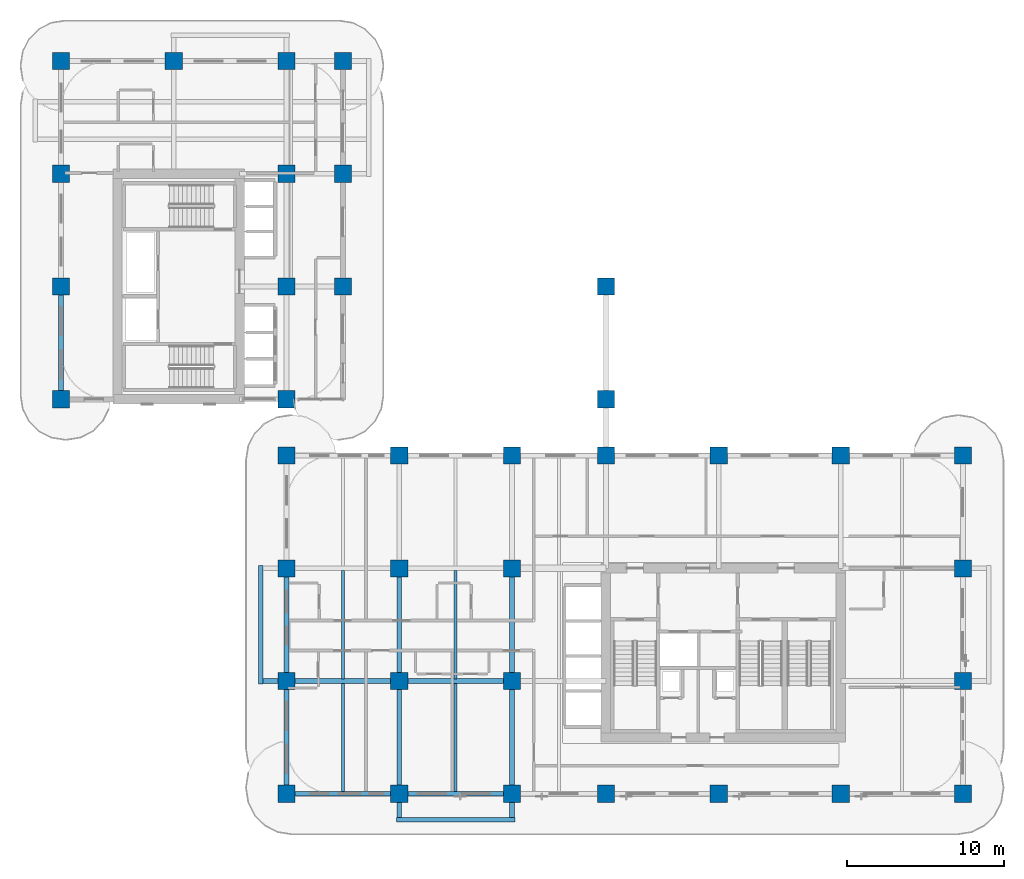
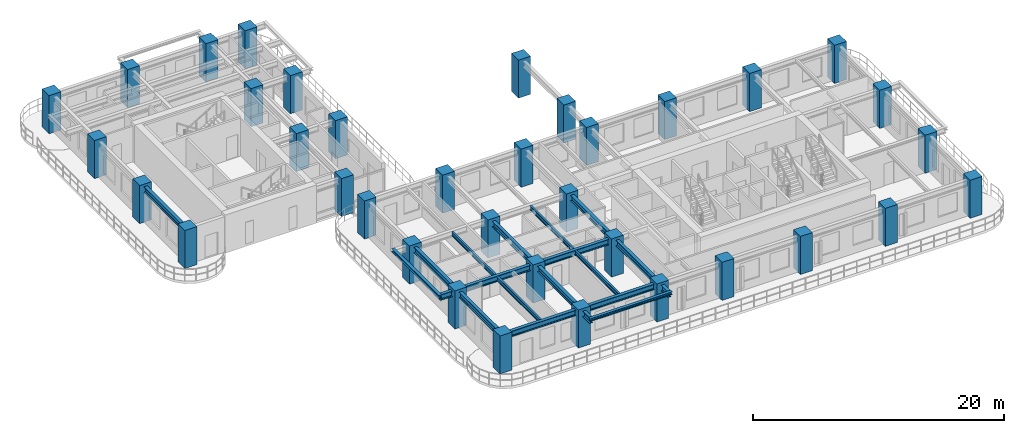
# One storey, part 1 of 19: 36 columns, 17 beams.
"""IFC4 building model written with IfcOpenShell, lengths in metres."""

import ifcopenshell
import ifcopenshell.guid

model = None  # the IFC model being written
_history = None  # IfcOwnerHistory: only IFC2X3 demands one
_inside = {}  # id of a spatial element -> (the spatial element, [elements in it])
_under = {}  # id of a project, library or spatial element -> (it, [spatial elements below it])
_declared = {}  # id of a project -> (the project, [libraries it declares])
_typed = {}  # id of a type object -> (the type object, [elements of that type])
_made_of = {}  # id of a material, layer set ... -> (it, [elements and type objects made of it])


def new_model(schema):
    """Start an empty IFC model of exactly this schema.

    Asked for "IFC4X3", IfcOpenShell would pick the latest addendum, in which some entities
    have other attributes; the version numbers below select the first issue.
    IFC2X3 requires an IfcOwnerHistory on every rooted entity: one is made here for all.
    """
    global model, _history
    if schema == "IFC4X3":
        model = ifcopenshell.file(schema_version=(4, 3, 0, 0))
    else:
        model = ifcopenshell.file(schema=schema)
    _inside.clear()
    _under.clear()
    _declared.clear()
    _typed.clear()
    _made_of.clear()
    _history = None
    if model.schema == "IFC2X3":
        org = make("IfcOrganization", Name="unknown")
        user = make(
            "IfcPersonAndOrganization",
            ThePerson=make("IfcPerson", FamilyName="unknown"),
            TheOrganization=org,
        )
        app = make(
            "IfcApplication",
            ApplicationDeveloper=org,
            Version="unknown",
            ApplicationFullName="unknown",
            ApplicationIdentifier="unknown",
        )
        _history = make(
            "IfcOwnerHistory",
            OwningUser=user,
            OwningApplication=app,
            ChangeAction="ADDED",
            CreationDate=0,
        )
    return model


def make(cls, **values):
    """One entity of the class cls with the attributes given. An attribute that is None is left unset."""
    return model.create_entity(
        cls, **{name: value for name, value in values.items() if value is not None}
    )


def rooted(cls, **values):
    """An entity with a GlobalId (a new one), such as an element, a storey or a relation."""
    return make(cls, GlobalId=ifcopenshell.guid.new(), OwnerHistory=_history, **values)


def si_unit(unit_type, name, prefix=None):
    """IfcSIUnit, for example si_unit("LENGTHUNIT", "METRE", prefix="MILLI")."""
    return make("IfcSIUnit", UnitType=unit_type, Prefix=prefix, Name=name)


def derived_unit(unit_type, elements):
    """IfcDerivedUnit: a product of units, each with its exponent."""
    return make(
        "IfcDerivedUnit",
        Elements=[
            make("IfcDerivedUnitElement", Unit=unit, Exponent=power)
            for unit, power in elements
        ],
        UnitType=unit_type,
    )


def assignment(units):
    """IfcUnitAssignment: the units of a project."""
    return None if units is None else make("IfcUnitAssignment", Units=units)


def point(xyz):
    """IfcCartesianPoint."""
    return None if xyz is None else make("IfcCartesianPoint", Coordinates=xyz)


def direction(xyz):
    """IfcDirection."""
    return None if xyz is None else make("IfcDirection", DirectionRatios=xyz)


def frame(location, z_axis=None, x_axis=None):
    """IfcAxis2Placement3D, a coordinate frame: its origin and axes. An axis left out is left unset."""
    return make(
        "IfcAxis2Placement3D",
        Location=point(location),
        Axis=direction(z_axis),
        RefDirection=direction(x_axis),
    )


def frame_2d(location, x_axis=None):
    """IfcAxis2Placement2D, a coordinate frame in the plane: its origin and x axis."""
    return make(
        "IfcAxis2Placement2D", Location=point(location), RefDirection=direction(x_axis)
    )


def origin():
    """The frame at (0, 0, 0) with its axes left unset."""
    return frame((0.0, 0.0, 0.0))


def origin_2d():
    """The frame at (0, 0) in the plane with its x axis left unset."""
    return frame_2d((0.0, 0.0))


def place(relative_to, where):
    """IfcLocalPlacement: puts the frame where relative to a parent placement (None: the world)."""
    return make(
        "IfcLocalPlacement", PlacementRelTo=relative_to, RelativePlacement=where
    )


def context(
    kind, dimensions, precision=None, world=None, true_north=None, identifier=None
):
    """IfcGeometricRepresentationContext, for example the 3D "Model" context."""
    return make(
        "IfcGeometricRepresentationContext",
        ContextIdentifier=identifier,
        ContextType=kind,
        CoordinateSpaceDimension=dimensions,
        Precision=precision,
        WorldCoordinateSystem=world,
        TrueNorth=true_north,
    )


def subcontext(parent, identifier, kind, view, scale=None):
    """IfcGeometricRepresentationSubContext, for example "Body" below "Model"."""
    return make(
        "IfcGeometricRepresentationSubContext",
        ContextIdentifier=identifier,
        ContextType=kind,
        ParentContext=parent,
        TargetScale=scale,
        TargetView=view,
    )


def project(units=None, contexts=None):
    """IfcProject with its units and contexts."""
    return rooted(
        "IfcProject",
        Name="project",
        RepresentationContexts=contexts,
        UnitsInContext=assignment(units),
    )


def spatial(cls, under=None, at=None, **own):
    """A site, building, storey or space (cls), placed at a placement, below another one or the project."""
    s = rooted(cls, ObjectPlacement=at, **own)
    if under is not None:
        _under.setdefault(under.id(), (under, []))[1].append(s)
    return s


def profile(cls, at=None, kind="AREA", **sizes):
    """A parametric profile (cls). Its sizes go by their IFC names, for example OverallWidth=200.0."""
    return make(cls, ProfileType=kind, Position=at, **sizes)


def rectangle(**sizes):
    """IfcRectangleProfileDef."""
    return profile("IfcRectangleProfileDef", **sizes)


def i_section(**sizes):
    """IfcIShapeProfileDef."""
    return profile("IfcIShapeProfileDef", **sizes)


def extrude(swept, where, along, depth):
    """IfcExtrudedAreaSolid: the profile swept, set in the frame where, extruded along a direction by depth."""
    return make(
        "IfcExtrudedAreaSolid",
        SweptArea=swept,
        Position=where,
        ExtrudedDirection=direction(along),
        Depth=depth,
    )


def shape(context_of_items, identifier, shape_type, items):
    """IfcShapeRepresentation: the items that make up one representation, for example the "Body"."""
    return make(
        "IfcShapeRepresentation",
        ContextOfItems=context_of_items,
        RepresentationIdentifier=identifier,
        RepresentationType=shape_type,
        Items=items,
    )


def source(mapping_origin, context_of_items, identifier, shape_type, items):
    """IfcRepresentationMap: a shape defined once, which mapped items show again and again."""
    return make(
        "IfcRepresentationMap",
        MappingOrigin=mapping_origin,
        MappedRepresentation=shape(context_of_items, identifier, shape_type, items),
    )


def transform(
    local_origin,
    x_axis=None,
    y_axis=None,
    z_axis=None,
    scale=None,
    scale2=None,
    scale3=None,
    uniform=True,
):
    """IfcCartesianTransformationOperator3D, or its non-uniform kind. x_axis, y_axis, z_axis: its Axis1, 2, 3."""
    if uniform:
        return make(
            "IfcCartesianTransformationOperator3D",
            Axis1=direction(x_axis),
            Axis2=direction(y_axis),
            LocalOrigin=point(local_origin),
            Scale=scale,
            Axis3=direction(z_axis),
        )
    return make(
        "IfcCartesianTransformationOperator3DnonUniform",
        Axis1=direction(x_axis),
        Axis2=direction(y_axis),
        LocalOrigin=point(local_origin),
        Scale=scale,
        Axis3=direction(z_axis),
        Scale2=scale2,
        Scale3=scale3,
    )


def mapped(mapping_source, mapping_target):
    """IfcMappedItem: shows the shape of a source again, moved by a transform."""
    return make(
        "IfcMappedItem", MappingSource=mapping_source, MappingTarget=mapping_target
    )


def material(Name=None, Category=None):
    """IfcMaterial."""
    return make("IfcMaterial", Name=Name, Category=Category)


def material_profile(
    of_material, cross_section, Name=None, Category=None, Priority=None
):
    """IfcMaterialProfile: a cross section and its material."""
    return make(
        "IfcMaterialProfile",
        Name=Name,
        Material=of_material,
        Profile=cross_section,
        Priority=Priority,
        Category=Category,
    )


def profile_set(profiles, Name=None, composite=None):
    """IfcMaterialProfileSet."""
    return make(
        "IfcMaterialProfileSet",
        Name=Name,
        MaterialProfiles=profiles,
        CompositeProfile=composite,
    )


def made_of(thing, what):
    """Note that an element or type object is made of a material, layer set ...; save() writes the relation."""
    if what is not None:
        _made_of.setdefault(what.id(), (what, []))[1].append(thing)
    return thing


def type_object(cls, material=None, **own):
    """A type object (cls), such as IfcWallType, which elements share."""
    return made_of(rooted(cls, **own), material)


def type_shapes(of_type, sources):
    """Give a type object the sources (RepresentationMaps) that its elements show as mapped items."""
    of_type.RepresentationMaps = sources


def element(
    cls,
    number,
    at=None,
    inside=None,
    cuts=None,
    type_object=None,
    material=None,
    context=None,
    identifier="Body",
    shape_type=None,
    held_by="IfcProductDefinitionShape",
    body=None,
    shapes=None,
    **own,
):
    """One element of the class cls, such as IfcWall. Its Tag is "e" and its number.

    at: its placement. inside: the storey or other place that contains it. cuts: it is an
    opening in that element (IfcRelVoidsElement). A single representation is given by context,
    identifier, shape_type and body (its items); several are given by shapes. held_by: the class
    of the entity that holds the representations. save() writes the other relations.
    """
    e = rooted(cls, Tag="e%d" % number, ObjectPlacement=at, **own)
    if body is not None:
        shapes = [shape(context, identifier, shape_type, body)]
    if shapes is not None:
        e.Representation = make(held_by, Representations=shapes)
    if inside is not None:
        _inside.setdefault(inside.id(), (inside, []))[1].append(e)
    if cuts is not None:
        rooted(
            "IfcRelVoidsElement", RelatingBuildingElement=cuts, RelatedOpeningElement=e
        )
    if type_object is not None:
        _typed.setdefault(type_object.id(), (type_object, []))[1].append(e)
    return made_of(e, material)


def aggregate(whole, parts):
    """IfcRelAggregates: a whole, such as a stair, and the parts it consists of."""
    return rooted("IfcRelAggregates", RelatingObject=whole, RelatedObjects=parts)


def save(model, path):
    """Write the relations noted so far, then the file.

    IfcRelAggregates (storeys below a building ...), IfcRelContainedInSpatialStructure (elements
    in a storey), IfcRelDefinesByType, IfcRelAssociatesMaterial and IfcRelDeclares: one each for
    every whole, place, type object, material and project.
    """
    for whole, parts in _under.values():
        aggregate(whole, parts)
    for where, things in _inside.values():
        rooted(
            "IfcRelContainedInSpatialStructure",
            RelatedElements=things,
            RelatingStructure=where,
        )
    for kind, things in _typed.values():
        rooted("IfcRelDefinesByType", RelatedObjects=things, RelatingType=kind)
    for what, things in _made_of.values():
        rooted("IfcRelAssociatesMaterial", RelatedObjects=things, RelatingMaterial=what)
    for by, libraries in _declared.values():
        rooted("IfcRelDeclares", RelatingContext=by, RelatedDefinitions=libraries)
    model.write(path)


model = new_model("IFC4")

# Units and contexts
model_context = context("Model", 3, precision=1e-05, world=origin(), true_north=direction((0.0, 1.0)))
body_context = subcontext(model_context, "Body", "Model", "MODEL_VIEW")
ifc_project = project(units=[si_unit("LENGTHUNIT", "METRE"), si_unit("AREAUNIT", "SQUARE_METRE"), si_unit("VOLUMEUNIT", "CUBIC_METRE"), si_unit("PLANEANGLEUNIT", "RADIAN"), si_unit("MASSUNIT", "GRAM", prefix="KILO"), si_unit("THERMODYNAMICTEMPERATUREUNIT", "KELVIN"), si_unit("POWERUNIT", "WATT"), derived_unit("THERMALTRANSMITTANCEUNIT", [(si_unit("POWERUNIT", "WATT"), 1), (si_unit("AREAUNIT", "SQUARE_METRE"), -1), (si_unit("THERMODYNAMICTEMPERATUREUNIT", "KELVIN"), -1)])], contexts=[model_context])

# Site, building, storey
site_placement = place(None, origin())
site = spatial("IfcSite", under=ifc_project, at=site_placement, CompositionType="ELEMENT")
building_placement = place(site_placement, origin())
building = spatial("IfcBuilding", under=site, at=building_placement, Name="Zahravan Archway Hotel and Residences", CompositionType="ELEMENT")
storey_placement = place(building_placement, frame((0.0, 0.0, 32.39990234375)))
storey = spatial("IfcBuildingStorey", under=building, at=storey_placement, Name="L06", CompositionType="ELEMENT", Elevation=32.39990234375)

# Columns
ifc_material_1 = material(Name="Concrete C70/85", Category="concrete")
ifc_material_profile_1 = material_profile(ifc_material_1, rectangle(XDim=1.10009765625, YDim=1.10009765625, at=origin_2d()), Name="RC 1100x1100", Category="concrete")
ifc_profile_set_1 = profile_set([ifc_material_profile_1], Name="Concrete C70/85")
column_type = type_object("IfcColumnType", Name="COL-RC-1100", PredefinedType="COLUMN", material=ifc_profile_set_1)
shared_shape_1 = source(origin(), body_context, "Body", "SweptSolid", [
    extrude(rectangle(XDim=1.10009765625, YDim=1.10009765625, at=origin_2d()), origin(), (0.0, 0.0, 1.0), 3.7001953125),
])
for number, where, z_axis, x_axis, name in (
    (1, (0.0, 25.199951171875, 0.0), (0.0, 0.0, 1.0), (1.0, 0.0, 0.0), "L06 Column 1-E"),
    (2, (0.0, 32.39990234375, 0.0), (0.0, 0.0, 1.0), (1.0, 0.0, 0.0), "L06 Column 1-F"),
    (3, (0.0, 39.60009765625, 0.0), (0.0, 0.0, 1.0), (1.0, 0.0, 0.0), "L06 Column 1-G"),
    (4, (0.0, 46.800048828125, 0.0), (0.0, 0.0, 1.0), (1.0, 0.0, 0.0), "L06 Column 1-H"),
    (5, (7.199951171875, 46.800048828125, 0.0), (0.0, 0.0, 1.0), (1.0, 0.0, 0.0), "L06 Column 2-H"),
    (6, (14.39990234375, 0.0, 0.0), (0.0, 0.0, 1.0), (1.0, 0.0, 0.0), "L06 Column 3-A"),
    (7, (14.39990234375, 7.199951171875, 0.0), (0.0, 0.0, 1.0), (1.0, 0.0, 0.0), "L06 Column 3-B"),
    (8, (14.39990234375, 14.39990234375, 0.0), (0.0, 0.0, 1.0), (1.0, 0.0, 0.0), "L06 Column 3-C"),
    (9, (14.39990234375, 21.60009765625, 0.0), (0.0, 0.0, 1.0), (1.0, 0.0, 0.0), "L06 Column 3-D"),
    (10, (14.39990234375, 25.199951171875, 0.0), (0.0, 0.0, 1.0), (1.0, 0.0, 0.0), "L06 Column 3-E"),
    (11, (14.39990234375, 32.39990234375, 0.0), (0.0, 0.0, 1.0), (1.0, 0.0, 0.0), "L06 Column 3-F"),
    (12, (14.39990234375, 39.60009765625, 0.0), (0.0, 0.0, 1.0), (1.0, 0.0, 0.0), "L06 Column 3-G"),
    (13, (14.39990234375, 46.800048828125, 0.0), (0.0, 0.0, 1.0), (1.0, 0.0, 0.0), "L06 Column 3-H"),
    (14, (21.60009765625, 0.0, 0.0), (0.0, 0.0, 1.0), (1.0, 0.0, 0.0), "L06 Column 4-A"),
    (15, (21.60009765625, 7.199951171875, 0.0), (0.0, 0.0, 1.0), (1.0, 0.0, 0.0), "L06 Column 4-B"),
    (16, (21.60009765625, 14.39990234375, 0.0), (0.0, 0.0, 1.0), (1.0, 0.0, 0.0), "L06 Column 4-C"),
    (17, (21.60009765625, 21.60009765625, 0.0), (0.0, 0.0, 1.0), (1.0, 0.0, 0.0), "L06 Column 4-D"),
    (18, (28.800048828125, 0.0, 0.0), (0.0, 0.0, 1.0), (1.0, 0.0, 0.0), "L06 Column 5-A"),
    (19, (28.800048828125, 7.199951171875, 0.0), (0.0, 0.0, 1.0), (1.0, 0.0, 0.0), "L06 Column 5-B"),
    (20, (28.800048828125, 14.39990234375, 0.0), (0.0, 0.0, 1.0), (1.0, 0.0, 0.0), "L06 Column 5-C"),
    (21, (28.800048828125, 21.60009765625, 0.0), (0.0, 0.0, 1.0), (1.0, 0.0, 0.0), "L06 Column 5-D"),
    (22, (34.800048828125, 0.0, 0.0), (0.0, 0.0, 1.0), (1.0, 0.0, 0.0), "L06 Column 6-A"),
    (23, (34.800048828125, 21.60009765625, 0.0), (0.0, 0.0, 1.0), (1.0, 0.0, 0.0), "L06 Column 6-D"),
    (24, (42.0, 0.0, 0.0), (0.0, 0.0, 1.0), (1.0, 0.0, 0.0), "L06 Column 7-A"),
    (25, (42.0, 21.60009765625, 0.0), (0.0, 0.0, 1.0), (1.0, 0.0, 0.0), "L06 Column 7-D"),
    (26, (49.800048828125, 0.0, 0.0), (0.0, 0.0, 1.0), (1.0, 0.0, 0.0), "L06 Column 8-A"),
    (27, (49.800048828125, 21.60009765625, 0.0), (0.0, 0.0, 1.0), (1.0, 0.0, 0.0), "L06 Column 8-D"),
    (28, (57.60009765625, 0.0, 0.0), (0.0, 0.0, 1.0), (1.0, 0.0, 0.0), "L06 Column 9-A"),
    (29, (57.60009765625, 7.199951171875, 0.0), (0.0, 0.0, 1.0), (1.0, 0.0, 0.0), "L06 Column 9-B"),
    (30, (57.60009765625, 14.39990234375, 0.0), (0.0, 0.0, 1.0), (1.0, 0.0, 0.0), "L06 Column 9-C"),
    (31, (57.60009765625, 21.60009765625, 0.0), (0.0, 0.0, 1.0), (1.0, 0.0, 0.0), "L06 Column 9-D"),
    (32, (18.0, 32.39990234375, 0.0), (0.0, 0.0, 1.0), (1.0, 0.0, 0.0), "L06 Column 3B-F"),
    (33, (18.0, 39.60009765625, 0.0), (0.0, 0.0, 1.0), (1.0, 0.0, 0.0), "L06 Column 3B-G"),
    (34, (18.0, 46.800048828125, 0.0), (0.0, 0.0, 1.0), (1.0, 0.0, 0.0), "L06 Column 3B-H"),
    (35, (34.800048828125, 25.199951171875, 0.0), (0.0, 0.0, 1.0), (1.0, 0.0, 0.0), "L06 Column 6-E"),
    (36, (34.800048828125, 32.39990234375, 0.0), (0.0, 0.0, 1.0), (1.0, 0.0, 0.0), "L06 Column 6-F"),
):
    element("IfcColumn", number, at=place(storey_placement, frame(where, z_axis=z_axis, x_axis=x_axis)), inside=storey, type_object=column_type, Name=name, PredefinedType="COLUMN", context=body_context, shape_type="MappedRepresentation", body=[
        mapped(shared_shape_1, transform((0.0, 0.0, 0.0), scale=1.0)),
    ])

# Beams
ifc_material_2 = material(Name="Structural Steel S355JR", Category="steel")
ifc_material_profile_2 = material_profile(ifc_material_2, i_section(OverallWidth=0.280029296875, OverallDepth=0.280029296875, WebThickness=0.010498046875, FlangeThickness=0.01806640625, FilletRadius=0.02392578125, at=origin_2d()), Name="HEB 280", Category="steel")
ifc_profile_set_2 = profile_set([ifc_material_profile_2], Name="Structural Steel S355JR")
beam_type_1 = type_object("IfcBeamType", Name="BM-SPN-HEB280", PredefinedType="SPANDREL", material=ifc_profile_set_2)
shared_shape_2 = source(origin(), body_context, "Body", "SweptSolid", [
    extrude(i_section(OverallWidth=0.280029296875, OverallDepth=0.280029296875, WebThickness=0.010498046875, FlangeThickness=0.01806640625, FilletRadius=0.02392578125, at=origin_2d()), origin(), (0.0, 0.0, 1.0), 7.56005859375),
])
type_shapes(beam_type_1, [shared_shape_2])
for number, where, z_axis, x_axis, name in (
    (37, (12.75, 7.02001953125, 3.31005859375), (0.0, 1.0, 0.0), (-1.0, 0.0, 0.0), "L07 WA Balcony Edge Spandrel"),
    (38, (21.419921875, -1.64990234375, 3.31005859375), (1.0, 0.0, 0.0), (0.0, 1.0, 0.0), "L07 SA Balcony Edge Spandrel"),
):
    element("IfcBeam", number, at=place(storey_placement, frame(where, z_axis=z_axis, x_axis=x_axis)), inside=storey, type_object=beam_type_1, Name=name, PredefinedType="SPANDREL", context=body_context, shape_type="MappedRepresentation", body=[
        mapped(shared_shape_2, transform((0.0, 0.0, 0.0), scale=1.0)),
    ])
ifc_material_profile_3 = material_profile(ifc_material_2, i_section(OverallWidth=0.300048828125, OverallDepth=0.550048828125, WebThickness=0.014892578125, FlangeThickness=0.029052734375, FilletRadius=0.027099609375, at=origin_2d()), Name="HEB 550", Category="steel")
ifc_profile_set_3 = profile_set([ifc_material_profile_3], Name="Structural Steel S355JR")
beam_type_2 = type_object("IfcBeamType", Name="BM-PRI-HEB550", PredefinedType="BEAM", material=ifc_profile_set_3)
shared_shape_3 = source(origin(), body_context, "Body", "SweptSolid", [
    extrude(i_section(OverallWidth=0.300048828125, OverallDepth=0.550048828125, WebThickness=0.014892578125, FlangeThickness=0.029052734375, FilletRadius=0.027099609375, at=origin_2d()), origin(), (0.0, 0.0, 1.0), 7.2001953125),
])
type_shapes(beam_type_2, [shared_shape_3])
beam_1_placement = place(storey_placement, frame((14.39990234375, 0.0, 3.175048828125), z_axis=(1.0, 0.0, 0.0), x_axis=(0.0, 1.0, 0.0)))
element("IfcBeam", 39, at=beam_1_placement, inside=storey, type_object=beam_type_2, Name="L06 Primary Girder EW-01", PredefinedType="BEAM", context=body_context, shape_type="MappedRepresentation", body=[
    mapped(shared_shape_3, transform((0.0, 0.0, 0.0), scale=1.0)),
])
shared_shape_4 = source(origin(), body_context, "Body", "SweptSolid", [
    extrude(i_section(OverallWidth=0.300048828125, OverallDepth=0.550048828125, WebThickness=0.014892578125, FlangeThickness=0.029052734375, FilletRadius=0.027099609375, at=origin_2d()), origin(), (0.0, 0.0, 1.0), 7.199951171875),
])
for number, where, z_axis, x_axis, name in (
    (40, (21.60009765625, 0.0, 3.175048828125), (1.0, 0.0, 0.0), (0.0, 1.0, 0.0), "L06 Primary Girder EW-02"),
    (41, (21.60009765625, 7.199951171875, 3.175048828125), (1.0, 0.0, 0.0), (0.0, 1.0, 0.0), "L06 Primary Girder EW-08"),
    (42, (0.0, 25.199951171875, 3.175048828125), (0.0, 1.0, 0.0), (-1.0, 0.0, 0.0), "L06 Primary Girder NS-27"),
    (43, (14.39990234375, 0.0, 3.175048828125), (0.0, 1.0, 0.0), (-1.0, 0.0, 0.0), "L06 Primary Girder NS-31"),
    (44, (14.39990234375, 7.199951171875, 3.175048828125), (0.0, 1.0, 0.0), (-1.0, 0.0, 0.0), "L06 Primary Girder NS-32"),
    (45, (21.60009765625, 7.199951171875, 3.175048828125), (0.0, 1.0, 0.0), (-1.0, 0.0, 0.0), "L06 Primary Girder NS-38"),
    (46, (28.800048828125, 7.199951171875, 3.175048828125), (0.0, 1.0, 0.0), (-1.0, 0.0, 0.0), "L06 Primary Girder NS-41"),
):
    element("IfcBeam", number, at=place(storey_placement, frame(where, z_axis=z_axis, x_axis=x_axis)), inside=storey, type_object=beam_type_2, Name=name, PredefinedType="BEAM", context=body_context, shape_type="MappedRepresentation", body=[
        mapped(shared_shape_4, transform((0.0, 0.0, 0.0), scale=1.0)),
    ])
shared_shape_5 = source(origin(), body_context, "Body", "SweptSolid", [
    extrude(i_section(OverallWidth=0.300048828125, OverallDepth=0.550048828125, WebThickness=0.014892578125, FlangeThickness=0.029052734375, FilletRadius=0.027099609375, at=origin_2d()), origin(), (0.0, 0.0, 1.0), 8.85009765625),
])
beam_2_placement = place(storey_placement, frame((12.75, 7.199951171875, 3.175048828125), z_axis=(1.0, 0.0, 0.0), x_axis=(0.0, 1.0, 0.0)))
element("IfcBeam", 47, at=beam_2_placement, inside=storey, type_object=beam_type_2, Name="L06 Primary Girder EW-07", PredefinedType="BEAM", context=body_context, shape_type="MappedRepresentation", body=[
    mapped(shared_shape_5, transform((0.0, 0.0, 0.0), scale=1.0)),
])
shared_shape_6 = source(origin(), body_context, "Body", "SweptSolid", [
    extrude(i_section(OverallWidth=0.300048828125, OverallDepth=0.550048828125, WebThickness=0.014892578125, FlangeThickness=0.029052734375, FilletRadius=0.027099609375, at=origin_2d()), origin(), (0.0, 0.0, 1.0), 8.849853515625),
])
for number, where, z_axis, x_axis, name in (
    (48, (21.60009765625, -1.64990234375, 3.175048828125), (0.0, 1.0, 0.0), (-1.0, 0.0, 0.0), "L06 Primary Girder NS-37"),
    (49, (28.800048828125, -1.64990234375, 3.175048828125), (0.0, 1.0, 0.0), (-1.0, 0.0, 0.0), "L06 Primary Girder NS-40"),
):
    element("IfcBeam", number, at=place(storey_placement, frame(where, z_axis=z_axis, x_axis=x_axis)), inside=storey, type_object=beam_type_2, Name=name, PredefinedType="BEAM", context=body_context, shape_type="MappedRepresentation", body=[
        mapped(shared_shape_6, transform((0.0, 0.0, 0.0), scale=1.0)),
    ])
ifc_material_profile_4 = material_profile(ifc_material_2, i_section(OverallWidth=0.179931640625, OverallDepth=0.39990234375, WebThickness=0.008544921875, FlangeThickness=0.013427734375, FilletRadius=0.02099609375, at=origin_2d()), Name="IPE 400", Category="steel")
ifc_profile_set_4 = profile_set([ifc_material_profile_4], Name="Structural Steel S355JR")
beam_type_3 = type_object("IfcBeamType", Name="BM-JST-IPE400", PredefinedType="JOIST", material=ifc_profile_set_4)
shared_shape_7 = source(origin(), body_context, "Body", "SweptSolid", [
    extrude(i_section(OverallWidth=0.179931640625, OverallDepth=0.39990234375, WebThickness=0.008544921875, FlangeThickness=0.013427734375, FilletRadius=0.02099609375, at=origin_2d()), origin(), (0.0, 0.0, 1.0), 6.904052734375),
])
type_shapes(beam_type_3, [shared_shape_7])
for number, where, z_axis, x_axis, name in (
    (50, (18.0, 0.14794921875, 3.25), (0.0, 1.0, 0.0), (-1.0, 0.0, 0.0), "L06 Composite Floor Joist 01"),
    (51, (25.199951171875, 0.14794921875, 3.25), (0.0, 1.0, 0.0), (-1.0, 0.0, 0.0), "L06 Composite Floor Joist 02"),
    (52, (18.0, 7.347900390625, 3.25), (0.0, 1.0, 0.0), (-1.0, 0.0, 0.0), "L06 Composite Floor Joist 05"),
    (53, (25.199951171875, 7.347900390625, 3.25), (0.0, 1.0, 0.0), (-1.0, 0.0, 0.0), "L06 Composite Floor Joist 06"),
):
    element("IfcBeam", number, at=place(storey_placement, frame(where, z_axis=z_axis, x_axis=x_axis)), inside=storey, type_object=beam_type_3, Name=name, PredefinedType="JOIST", context=body_context, shape_type="MappedRepresentation", body=[
        mapped(shared_shape_7, transform((0.0, 0.0, 0.0), scale=1.0)),
    ])

save(model, "model.ifc")
